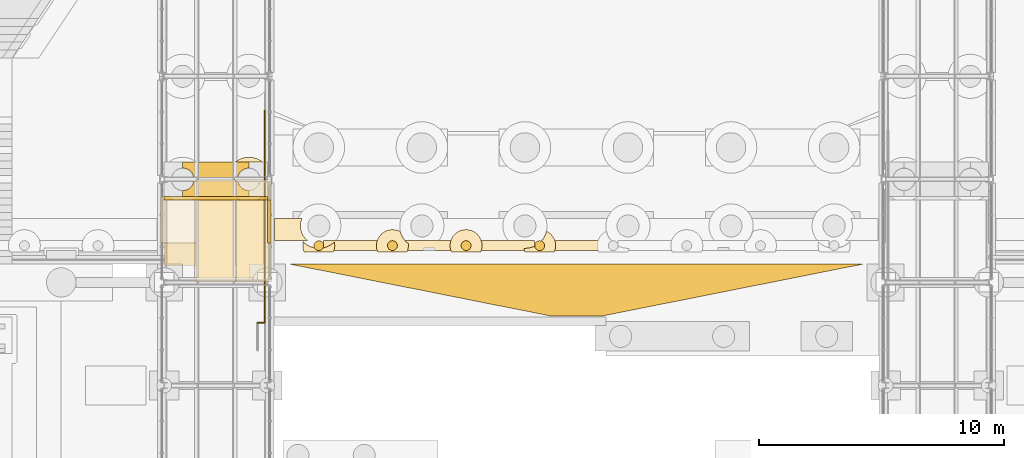
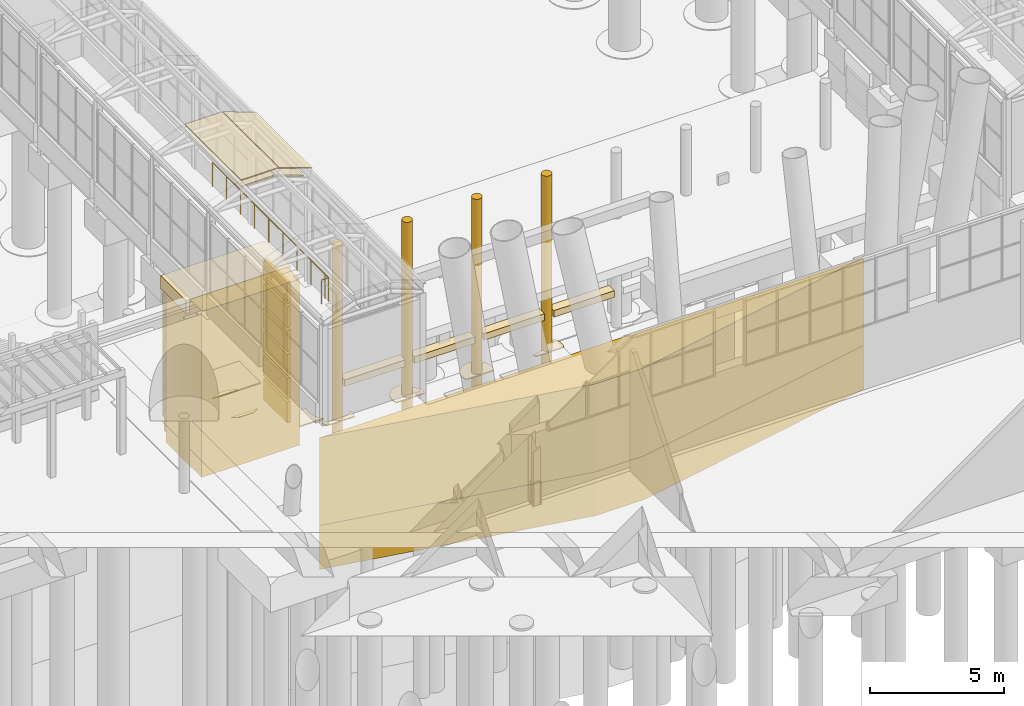
# One storey, part 184 of 222: 36 coverings, 3 railings.
"""IFC4 building model written with IfcOpenShell, lengths in metres."""

from ifc_helpers import new_model, si_unit, direction, frame, origin, origin_2d, place, context, subcontext, project, spatial, polyline, circle, outline, extrude, material, layer, layer_set, type_object, element, save


model = new_model("IFC4")

# Units and contexts
model_context = context("Model", 3, precision=1e-05, world=origin(), true_north=direction((0.0, 1.0)))
body_context = subcontext(model_context, "Body", "Model", "MODEL_VIEW")
ifc_project = project(units=[si_unit("LENGTHUNIT", "METRE"), si_unit("AREAUNIT", "SQUARE_METRE"), si_unit("VOLUMEUNIT", "CUBIC_METRE"), si_unit("PLANEANGLEUNIT", "RADIAN"), si_unit("MASSUNIT", "GRAM", prefix="KILO")], contexts=[model_context])

# Site, building, storey
site_placement = place(None, origin())
site = spatial("IfcSite", under=ifc_project, at=site_placement, CompositionType="ELEMENT")
building_placement = place(site_placement, origin())
building = spatial("IfcBuilding", under=site, at=building_placement, Name="Sava Quay Ferry Terminal", CompositionType="ELEMENT")
storey_placement = place(building_placement, origin())
storey = spatial("IfcBuildingStorey", under=building, at=storey_placement, Name="L00", CompositionType="ELEMENT", Elevation=0.0)

# Covering
ifc_material_1 = material(Name="Limestone ashlar", Category="masonry")
ifc_layer_1 = layer(ifc_material_1, 6.35009765625)
ifc_layer_set_1 = layer_set([ifc_layer_1], Name="Limestone ashlar")
covering_type_1 = type_object("IfcCoveringType", Name="Bridge abutment pier 1.65 m", PredefinedType="CLADDING", material=ifc_layer_set_1)
covering_1_placement = place(storey_placement, frame((0.0, 0.0, -8.0)))
element("IfcCovering", 1, at=covering_1_placement, inside=storey, type_object=covering_type_1, Name="Bridge abutment pier", PredefinedType="CLADDING", context=body_context, shape_type="SweptSolid", body=[
    extrude(outline(polyline([(46.949951171875, 121.10009765625), (49.64990234375, 121.10009765625), (49.64990234375, 121.340087890625), (49.60498046875, 121.342041015625), (49.56005859375, 121.34912109375), (49.51611328125, 121.360107421875), (49.47412109375, 121.375), (49.43310546875, 121.39404296875), (49.39404296875, 121.41796875), (49.35791015625, 121.444091796875), (49.324951171875, 121.47509765625), (49.2939453125, 121.508056640625), (49.26806640625, 121.5439453125), (49.243896484375, 121.5830078125), (49.22509765625, 121.6240234375), (49.2099609375, 121.666015625), (49.198974609375, 121.7099609375), (49.19189453125, 121.7548828125), (49.18994140625, 121.800048828125), (49.19189453125, 121.844970703125), (49.198974609375, 121.889892578125), (49.2099609375, 121.93408203125), (49.22509765625, 121.97607421875), (49.243896484375, 122.01708984375), (49.26806640625, 122.055908203125), (49.2939453125, 122.092041015625), (49.324951171875, 122.125), (49.35791015625, 122.156005859375), (49.39404296875, 122.181884765625), (49.43310546875, 122.2060546875), (49.47412109375, 122.22509765625), (49.51611328125, 122.239990234375), (49.56005859375, 122.2509765625), (49.60498046875, 122.258056640625), (49.64990234375, 122.260009765625), (49.64990234375, 122.5), (46.949951171875, 122.5), (46.949951171875, 122.260009765625), (46.9951171875, 122.258056640625), (47.0400390625, 122.2509765625), (47.083984375, 122.239990234375), (47.1259765625, 122.22509765625), (47.1669921875, 122.2060546875), (47.2060546875, 122.181884765625), (47.241943359375, 122.156005859375), (47.27490234375, 122.125), (47.305908203125, 122.092041015625), (47.33203125, 122.055908203125), (47.35595703125, 122.01708984375), (47.375, 121.97607421875), (47.389892578125, 121.93408203125), (47.40087890625, 121.889892578125), (47.407958984375, 121.844970703125), (47.409912109375, 121.800048828125), (47.407958984375, 121.7548828125), (47.40087890625, 121.7099609375), (47.389892578125, 121.666015625), (47.375, 121.6240234375), (47.35595703125, 121.5830078125), (47.33203125, 121.5439453125), (47.305908203125, 121.508056640625), (47.27490234375, 121.47509765625), (47.241943359375, 121.444091796875), (47.2060546875, 121.41796875), (47.1669921875, 121.39404296875), (47.1259765625, 121.375), (47.083984375, 121.360107421875), (47.0400390625, 121.34912109375), (46.9951171875, 121.342041015625), (46.949951171875, 121.340087890625), (46.949951171875, 121.10009765625)])), origin(), (0.0, 0.0, 1.0), 6.35009765625),
])

# Railings
ifc_material_2 = material(Name="Steel S355", Category="steel")
railing_type = type_object("IfcRailingType", Name="Edge guard 1100", PredefinedType="GUARDRAIL", material=ifc_material_2)
railing_1_placement = place(storey_placement, frame((50.300048828125, 116.199951171875, 0.0)))
element("IfcRailing", 2, at=railing_1_placement, inside=storey, type_object=railing_type, Name="Berth pier edge over the landing and the river", PredefinedType="GUARDRAIL", context=body_context, shape_type="SweptSolid", body=[
    extrude(circle(Radius=0.02392578125, at=origin_2d()), frame((0.0, 0.0, 1.076171875), z_axis=(0.0, 1.0, 0.0), x_axis=(-1.0, 0.0, 0.0)), (0.0, 0.0, 1.0), 8.400146484375),
    extrude(circle(Radius=0.02099609375, at=origin_2d()), origin(), (0.0, 0.0, 1.0), 1.052001953125),
    extrude(circle(Radius=0.02099609375, at=origin_2d()), frame((0.0, 1.050048828125, 0.0)), (0.0, 0.0, 1.0), 1.052001953125),
    extrude(circle(Radius=0.02099609375, at=origin_2d()), frame((0.0, 2.10009765625, 0.0)), (0.0, 0.0, 1.0), 1.052001953125),
    extrude(circle(Radius=0.02099609375, at=origin_2d()), frame((0.0, 3.150146484375, 0.0)), (0.0, 0.0, 1.0), 1.052001953125),
    extrude(circle(Radius=0.02099609375, at=origin_2d()), frame((0.0, 4.2001953125, 0.0)), (0.0, 0.0, 1.0), 1.052001953125),
    extrude(circle(Radius=0.02099609375, at=origin_2d()), frame((0.0, 5.25, 0.0)), (0.0, 0.0, 1.0), 1.052001953125),
    extrude(circle(Radius=0.02099609375, at=origin_2d()), frame((0.0, 6.300048828125, 0.0)), (0.0, 0.0, 1.0), 1.052001953125),
    extrude(circle(Radius=0.02099609375, at=origin_2d()), frame((0.0, 7.35009765625, 0.0)), (0.0, 0.0, 1.0), 1.052001953125),
    extrude(circle(Radius=0.02099609375, at=origin_2d()), frame((0.0, 8.400146484375, 0.0)), (0.0, 0.0, 1.0), 1.052001953125),
])
railing_2_placement = place(storey_placement, frame((50.300048828125, 116.202880859375, 0.0)))
element("IfcRailing", 3, at=railing_2_placement, inside=storey, type_object=railing_type, Name="Berth pier edge guard at the step", PredefinedType="GUARDRAIL", context=body_context, shape_type="SweptSolid", body=[
    extrude(circle(Radius=0.02392578125, at=origin_2d()), frame((0.0, 0.0, 1.076171875), z_axis=(0.0, -1.0, 0.0), x_axis=(1.0, 0.0, 0.0)), (0.0, 0.0, 1.0), 0.25),
    extrude(circle(Radius=0.02099609375, at=origin_2d()), origin(), (0.0, 0.0, 1.0), 1.052001953125),
    extrude(circle(Radius=0.02099609375, at=origin_2d()), frame((0.0, -0.25, 0.0)), (0.0, 0.0, 1.0), 1.052001953125),
])
railing_3_placement = place(storey_placement, frame((50.300048828125, 115.952880859375, 0.0)))
element("IfcRailing", 4, at=railing_3_placement, inside=storey, type_object=railing_type, Name="Berth pier edge guard at the step", PredefinedType="GUARDRAIL", context=body_context, shape_type="SweptSolid", body=[
    extrude(circle(Radius=0.02392578125, at=origin_2d()), frame((0.0, 0.0, 1.076171875), z_axis=(-1.0, 0.0, 0.0), x_axis=(0.0, -1.0, 0.0)), (0.0, 0.0, 1.0), 0.300048828125),
    extrude(circle(Radius=0.02099609375, at=origin_2d()), origin(), (0.0, 0.0, 1.0), 1.052001953125),
    extrude(circle(Radius=0.02099609375, at=origin_2d()), frame((-0.300048828125, 0.0, 0.0)), (0.0, 0.0, 1.0), 1.052001953125),
])

# Coverings
ifc_material_3 = material(Name="Limestone Mutalj", Category="masonry")
ifc_layer_2 = layer(ifc_material_3, 1.0)
ifc_layer_set_2 = layer_set([ifc_layer_2], Name="Limestone Mutalj")
covering_type_2 = type_object("IfcCoveringType", Name="Gallery landing abutment", PredefinedType="CLADDING", material=ifc_layer_set_2)
covering_2_placement = place(storey_placement, frame((0.0, 0.0, -8.0)))
element("IfcCovering", 5, at=covering_2_placement, inside=storey, type_object=covering_type_2, Name="Gallery landing abutment", PredefinedType="CLADDING", context=body_context, shape_type="SweptSolid", body=[
    extrude(outline(polyline([(46.199951171875, 118.300048828125), (50.39990234375, 118.300048828125), (50.39990234375, 120.949951171875), (46.199951171875, 120.949951171875), (46.199951171875, 118.300048828125)])), origin(), (0.0, 0.0, 1.0), 7.550048828125),
])
ifc_material_4 = material(Name="Glulam GL28h", Category="wood")
ifc_layer_3 = layer(ifc_material_4, 0.06005859375)
ifc_layer_set_3 = layer_set([ifc_layer_3], Name="Glulam GL28h")
covering_type_3 = type_object("IfcCoveringType", Name="Glulam soffit lining 60", PredefinedType="CEILING", material=ifc_layer_set_3)
covering_3_placement = place(storey_placement, frame((47.5634765625, 117.760009765625, 5.095703125), z_axis=(0.0, 0.0, 1.0), x_axis=(1.0, 0.0, 0.0)))
element("IfcCovering", 6, at=covering_3_placement, inside=storey, type_object=covering_type_3, Name="Boarding gallery B1 timber soffit lining bay 3 facet 2", PredefinedType="CEILING", context=body_context, shape_type="SweptSolid", body=[
    extrude(outline(polyline([(0.0, 0.0), (1.472900390625, 0.0), (1.472900390625, 3.8798828125), (0.0, 3.8798828125), (0.0, 0.0)])), origin(), (0.0, 0.0, -1.0), 0.06005859375),
])
covering_4_placement = place(storey_placement, frame((49.055908203125, 117.760009765625, 5.09228515625), z_axis=(0.342028329159, 0.0, 0.939689641346), x_axis=(0.939689641346, 0.0, -0.342028329159)))
element("IfcCovering", 7, at=covering_4_placement, inside=storey, type_object=covering_type_3, Name="Boarding gallery B1 timber soffit lining bay 3 facet 3", PredefinedType="CEILING", context=body_context, shape_type="SweptSolid", body=[
    extrude(outline(polyline([(0.0, 0.0), (1.3055444975084805, 0.0), (1.3055444975084805, 3.8798828125), (0.0, 3.8798828125), (0.0, 0.0)])), origin(), (0.0, 0.0, -1.0), 0.06005859375),
])
ifc_material_5 = material(Name="Timber", Category="wood")
ifc_layer_4 = layer(ifc_material_5, 0.39990234375)
ifc_layer_set_4 = layer_set([ifc_layer_4], Name="Timber")
covering_type_4 = type_object("IfcCoveringType", Name="Quay fender pile 400", PredefinedType="CLADDING", material=ifc_layer_set_4)
for number, where, z_axis, x_axis, name in (
    (8, (52.5, 119.10009765625, 0.0), (0.0, 0.0, -1.0), (1.0, 0.0, 0.0), "Quay fender pile"),
    (9, (55.5, 119.10009765625, 0.0), (0.0, 0.0, -1.0), (1.0, 0.0, 0.0), "Quay fender pile"),
    (10, (58.5, 119.10009765625, 0.0), (0.0, 0.0, -1.0), (1.0, 0.0, 0.0), "Quay fender pile"),
    (11, (61.5, 119.10009765625, 0.0), (0.0, 0.0, -1.0), (1.0, 0.0, 0.0), "Quay fender pile"),
):
    element("IfcCovering", number, at=place(storey_placement, frame(where, z_axis=z_axis, x_axis=x_axis)), inside=storey, type_object=covering_type_4, Name=name, PredefinedType="CLADDING", context=body_context, shape_type="SweptSolid", body=[
        extrude(circle(Radius=0.199951171875, at=origin_2d()), origin(), (0.0, 0.0, 1.0), 14.0),
    ])
ifc_material_6 = material(Name="Timber", Category="wood")
ifc_layer_5 = layer(ifc_material_6, 0.39990234375)
ifc_layer_set_5 = layer_set([ifc_layer_5], Name="Timber")
covering_type_5 = type_object("IfcCoveringType", Name="Quay fender waling", PredefinedType="MOLDING", material=ifc_layer_set_5)
covering_5_placement = place(storey_placement, frame((0.0, 0.0, -6.5)))
element("IfcCovering", 12, at=covering_5_placement, inside=storey, type_object=covering_type_5, Name="Quay fender waling", PredefinedType="MOLDING", context=body_context, shape_type="SweptSolid", body=[
    extrude(outline(polyline([(55.300048828125, 118.89990234375), (55.300048828125, 119.300048828125), (52.699951171875, 119.300048828125), (52.699951171875, 118.89990234375), (55.300048828125, 118.89990234375)])), origin(), (0.0, 0.0, 1.0), 0.300048828125),
])
covering_6_placement = place(storey_placement, frame((0.0, 0.0, -6.5)))
element("IfcCovering", 13, at=covering_6_placement, inside=storey, type_object=covering_type_5, Name="Quay fender waling", PredefinedType="MOLDING", context=body_context, shape_type="SweptSolid", body=[
    extrude(outline(polyline([(58.300048828125, 118.89990234375), (58.300048828125, 119.300048828125), (55.699951171875, 119.300048828125), (55.699951171875, 118.89990234375), (58.300048828125, 118.89990234375)])), origin(), (0.0, 0.0, 1.0), 0.300048828125),
])
covering_7_placement = place(storey_placement, frame((0.0, 0.0, -6.5)))
element("IfcCovering", 14, at=covering_7_placement, inside=storey, type_object=covering_type_5, Name="Quay fender waling", PredefinedType="MOLDING", context=body_context, shape_type="SweptSolid", body=[
    extrude(outline(polyline([(61.300048828125, 118.89990234375), (61.300048828125, 119.300048828125), (58.699951171875, 119.300048828125), (58.699951171875, 118.89990234375), (61.300048828125, 118.89990234375)])), origin(), (0.0, 0.0, 1.0), 0.300048828125),
])
covering_8_placement = place(storey_placement, frame((0.0, 0.0, -6.5)))
element("IfcCovering", 15, at=covering_8_placement, inside=storey, type_object=covering_type_5, Name="Quay fender waling", PredefinedType="MOLDING", context=body_context, shape_type="SweptSolid", body=[
    extrude(outline(polyline([(64.300048828125, 118.89990234375), (64.300048828125, 119.300048828125), (61.699951171875, 119.300048828125), (61.699951171875, 118.89990234375), (64.300048828125, 118.89990234375)])), origin(), (0.0, 0.0, 1.0), 0.300048828125),
])
ifc_material_7 = material(Name="Limestone Mutalj", Category="masonry")
ifc_layer_6 = layer(ifc_material_7, 0.35009765625)
ifc_layer_set_6 = layer_set([ifc_layer_6], Name="Limestone Mutalj")
covering_type_6 = type_object("IfcCoveringType", Name="Quay wall cornice 350", PredefinedType="MOLDING", material=ifc_layer_set_6)
covering_9_placement = place(storey_placement, frame((0.0, 0.0, -1.050048828125)))
element("IfcCovering", 16, at=covering_9_placement, inside=storey, type_object=covering_type_6, Name="Quay wall cornice", PredefinedType="MOLDING", context=body_context, shape_type="SweptSolid", body=[
    extrude(outline(polyline([(46.050048828125, 119.199951171875), (50.550048828125, 119.199951171875), (50.550048828125, 121.10009765625), (46.050048828125, 121.10009765625), (46.050048828125, 119.199951171875)])), origin(), (0.0, 0.0, 1.0), 0.60009765625),
])
ifc_material_8 = material(Name="Water")
ifc_layer_7 = layer(ifc_material_8, 0.0400390625)
ifc_layer_set_7 = layer_set([ifc_layer_7], Name="Water")
covering_type_7 = type_object("IfcCoveringType", Name="River foam collar", PredefinedType="CLADDING", material=ifc_layer_set_7)
covering_10_placement = place(storey_placement, frame((0.0, 0.0, -8.0)))
element("IfcCovering", 17, at=covering_10_placement, inside=storey, type_object=covering_type_7, Name="River foam collar", PredefinedType="CLADDING", context=body_context, shape_type="SweptSolid", body=[
    extrude(outline(polyline([(49.087890625, 121.10009765625), (49.14892578125, 121.050048828125), (49.304931640625, 120.966064453125), (49.35888671875, 120.949951171875), (49.94091796875, 120.949951171875), (49.9951171875, 120.966064453125), (50.15087890625, 121.050048828125), (50.2119140625, 121.10009765625), (49.087890625, 121.10009765625)])), origin(), (0.0, 0.0, 1.0), 0.0400390625),
])
covering_11_placement = place(storey_placement, frame((0.0, 0.0, -8.0)))
element("IfcCovering", 18, at=covering_11_placement, inside=storey, type_object=covering_type_7, Name="River foam collar", PredefinedType="CLADDING", context=body_context, shape_type="SweptSolid", body=[
    extrude(outline(polyline([(50.2119140625, 122.5), (50.15087890625, 122.550048828125), (49.9951171875, 122.634033203125), (49.825927734375, 122.68505859375), (49.64990234375, 122.701904296875), (49.47412109375, 122.68505859375), (49.304931640625, 122.634033203125), (49.14892578125, 122.550048828125), (49.087890625, 122.5), (49.64990234375, 122.5), (50.2119140625, 122.5)])), origin(), (0.0, 0.0, 1.0), 0.0400390625),
])
covering_12_placement = place(storey_placement, frame((0.0, 0.0, -8.0)))
element("IfcCovering", 19, at=covering_12_placement, inside=storey, type_object=covering_type_7, Name="River foam collar", PredefinedType="CLADDING", context=body_context, shape_type="SweptSolid", body=[
    extrude(outline(polyline([(52.318115234375, 119.007080078125), (52.14990234375, 119.05810546875), (51.992919921875, 119.14208984375), (51.865966796875, 119.24609375), (51.860107421875, 119.22705078125), (51.847900390625, 119.10009765625), (51.860107421875, 118.972900390625), (51.89794921875, 118.85009765625), (53.10205078125, 118.85009765625), (53.139892578125, 118.972900390625), (53.152099609375, 119.10009765625), (53.139892578125, 119.22705078125), (53.134033203125, 119.24609375), (53.007080078125, 119.14208984375), (52.85009765625, 119.05810546875), (52.68408203125, 119.007080078125), (52.676025390625, 119.008056640625), (52.666015625, 118.989013671875), (52.64111328125, 118.958984375), (52.611083984375, 118.93408203125), (52.576904296875, 118.9150390625), (52.5390625, 118.904052734375), (52.5, 118.89990234375), (52.4609375, 118.904052734375), (52.423095703125, 118.9150390625), (52.388916015625, 118.93408203125), (52.35888671875, 118.958984375), (52.333984375, 118.989013671875), (52.323974609375, 119.008056640625), (52.318115234375, 119.007080078125)])), origin(), (0.0, 0.0, 1.0), 0.0400390625),
])
covering_13_placement = place(storey_placement, frame((0.0, 0.0, -8.0)))
element("IfcCovering", 20, at=covering_13_placement, inside=storey, type_object=covering_type_7, Name="River foam collar", PredefinedType="CLADDING", context=body_context, shape_type="SweptSolid", body=[
    extrude(outline(polyline([(56.139892578125, 118.972900390625), (56.152099609375, 119.10009765625), (56.14404296875, 119.181884765625), (56.054931640625, 119.2548828125), (55.94189453125, 119.39306640625), (55.85693359375, 119.551025390625), (55.822998046875, 119.6630859375), (55.75, 119.702880859375), (55.626953125, 119.739990234375), (55.5, 119.751953125), (55.373046875, 119.739990234375), (55.25, 119.702880859375), (55.137939453125, 119.64208984375), (55.0390625, 119.56103515625), (54.9580078125, 119.4619140625), (54.89697265625, 119.35009765625), (54.860107421875, 119.22705078125), (54.847900390625, 119.10009765625), (54.860107421875, 118.972900390625), (54.89794921875, 118.85009765625), (56.10205078125, 118.85009765625), (56.139892578125, 118.972900390625)]), holes=[polyline([(55.303955078125, 119.138916015625), (55.31494140625, 119.177001953125), (55.333984375, 119.2109375), (55.35888671875, 119.240966796875), (55.388916015625, 119.26611328125), (55.423095703125, 119.284912109375), (55.4609375, 119.2958984375), (55.5, 119.300048828125), (55.5390625, 119.2958984375), (55.576904296875, 119.284912109375), (55.611083984375, 119.26611328125), (55.64111328125, 119.240966796875), (55.666015625, 119.2109375), (55.68505859375, 119.177001953125), (55.696044921875, 119.138916015625), (55.699951171875, 119.10009765625), (55.696044921875, 119.06103515625), (55.68505859375, 119.02294921875), (55.666015625, 118.989013671875), (55.64111328125, 118.958984375), (55.611083984375, 118.93408203125), (55.576904296875, 118.9150390625), (55.5390625, 118.904052734375), (55.5, 118.89990234375), (55.4609375, 118.904052734375), (55.423095703125, 118.9150390625), (55.388916015625, 118.93408203125), (55.35888671875, 118.958984375), (55.333984375, 118.989013671875), (55.31494140625, 119.02294921875), (55.303955078125, 119.06103515625), (55.300048828125, 119.10009765625), (55.303955078125, 119.138916015625)])]), origin(), (0.0, 0.0, 1.0), 0.0400390625),
])
covering_14_placement = place(storey_placement, frame((0.0, 0.0, -8.0)))
element("IfcCovering", 21, at=covering_14_placement, inside=storey, type_object=covering_type_7, Name="River foam collar", PredefinedType="CLADDING", context=body_context, shape_type="SweptSolid", body=[
    extrude(outline(polyline([(59.0419921875, 119.4619140625), (58.9609375, 119.56103515625), (58.862060546875, 119.64208984375), (58.75, 119.702880859375), (58.626953125, 119.739990234375), (58.5, 119.751953125), (58.373046875, 119.739990234375), (58.25, 119.702880859375), (58.137939453125, 119.64208984375), (58.0390625, 119.56103515625), (57.9580078125, 119.4619140625), (57.89697265625, 119.35009765625), (57.860107421875, 119.22705078125), (57.847900390625, 119.10009765625), (57.860107421875, 118.972900390625), (57.89794921875, 118.85009765625), (59.10205078125, 118.85009765625), (59.139892578125, 118.972900390625), (59.152099609375, 119.10009765625), (59.139892578125, 119.22705078125), (59.10302734375, 119.35009765625), (59.0419921875, 119.4619140625)]), holes=[polyline([(58.300048828125, 119.10009765625), (58.303955078125, 119.138916015625), (58.31494140625, 119.177001953125), (58.333984375, 119.2109375), (58.35888671875, 119.240966796875), (58.388916015625, 119.26611328125), (58.423095703125, 119.284912109375), (58.4609375, 119.2958984375), (58.5, 119.300048828125), (58.5390625, 119.2958984375), (58.576904296875, 119.284912109375), (58.611083984375, 119.26611328125), (58.64111328125, 119.240966796875), (58.666015625, 119.2109375), (58.68505859375, 119.177001953125), (58.696044921875, 119.138916015625), (58.699951171875, 119.10009765625), (58.696044921875, 119.06103515625), (58.68505859375, 119.02294921875), (58.666015625, 118.989013671875), (58.64111328125, 118.958984375), (58.611083984375, 118.93408203125), (58.576904296875, 118.9150390625), (58.5390625, 118.904052734375), (58.5, 118.89990234375), (58.4609375, 118.904052734375), (58.423095703125, 118.9150390625), (58.388916015625, 118.93408203125), (58.35888671875, 118.958984375), (58.333984375, 118.989013671875), (58.31494140625, 119.02294921875), (58.303955078125, 119.06103515625), (58.300048828125, 119.10009765625)])]), origin(), (0.0, 0.0, 1.0), 0.0400390625),
])
covering_15_placement = place(storey_placement, frame((0.0, 0.0, -8.0)))
element("IfcCovering", 22, at=covering_15_placement, inside=storey, type_object=covering_type_7, Name="River foam collar", PredefinedType="CLADDING", context=body_context, shape_type="SweptSolid", body=[
    extrude(outline(polyline([(61.2490234375, 119.056884765625), (61.077880859375, 119.0048828125), (60.90087890625, 118.988037109375), (60.85791015625, 118.991943359375), (60.860107421875, 118.972900390625), (60.89794921875, 118.85009765625), (62.10205078125, 118.85009765625), (62.139892578125, 118.972900390625), (62.152099609375, 119.10009765625), (62.139892578125, 119.22705078125), (62.10302734375, 119.35009765625), (62.0419921875, 119.4619140625), (61.9609375, 119.56103515625), (61.862060546875, 119.64208984375), (61.782958984375, 119.68505859375), (61.741943359375, 119.550048828125), (61.657958984375, 119.39306640625), (61.571044921875, 119.285888671875), (61.611083984375, 119.26611328125), (61.64111328125, 119.240966796875), (61.666015625, 119.2109375), (61.68505859375, 119.177001953125), (61.696044921875, 119.138916015625), (61.699951171875, 119.10009765625), (61.696044921875, 119.06103515625), (61.68505859375, 119.02294921875), (61.666015625, 118.989013671875), (61.64111328125, 118.958984375), (61.611083984375, 118.93408203125), (61.576904296875, 118.9150390625), (61.5390625, 118.904052734375), (61.5, 118.89990234375), (61.4609375, 118.904052734375), (61.423095703125, 118.9150390625), (61.388916015625, 118.93408203125), (61.35888671875, 118.958984375), (61.333984375, 118.989013671875), (61.31494140625, 119.02294921875), (61.303955078125, 119.06103515625), (61.301025390625, 119.0849609375), (61.2490234375, 119.056884765625)])), origin(), (0.0, 0.0, 1.0), 0.0400390625),
])
ifc_material_9 = material(Name="Water")
ifc_layer_8 = layer(ifc_material_9, 0.050048828125)
ifc_layer_set_8 = layer_set([ifc_layer_8], Name="Water")
covering_type_8 = type_object("IfcCoveringType", Name="River foam line", PredefinedType="CLADDING", material=ifc_layer_set_8)
covering_16_placement = place(storey_placement, frame((0.0, 0.0, -8.0)))
element("IfcCovering", 23, at=covering_16_placement, inside=storey, type_object=covering_type_8, Name="River foam line", PredefinedType="CLADDING", context=body_context, shape_type="SweptSolid", body=[
    extrude(outline(polyline([(51.81298828125, 120.199951171875), (50.699951171875, 120.199951171875), (50.699951171875, 119.300048828125), (52.0419921875, 119.300048828125), (52.044921875, 119.305908203125), (51.990966796875, 119.35009765625), (51.969970703125, 119.3701171875), (51.949951171875, 119.39111328125), (51.89404296875, 119.4599609375), (51.8759765625, 119.48291015625), (51.861083984375, 119.509033203125), (51.820068359375, 119.5859375), (51.806884765625, 119.613037109375), (51.797119140625, 119.64111328125), (51.77197265625, 119.72509765625), (51.763916015625, 119.75390625), (51.760009765625, 119.782958984375), (51.7509765625, 119.87109375), (51.75, 119.89990234375), (51.7509765625, 119.928955078125), (51.760009765625, 120.01708984375), (51.763916015625, 120.0458984375), (51.77197265625, 120.074951171875), (51.797119140625, 120.158935546875), (51.81298828125, 120.199951171875)])), origin(), (0.0, 0.0, 1.0), 0.050048828125),
])
ifc_material_10 = material(Name="Limestone Mutalj", Category="masonry")
ifc_layer_9 = layer(ifc_material_10, 0.050048828125)
ifc_layer_set_9 = layer_set([ifc_layer_9], Name="Limestone Mutalj")
covering_type_9 = type_object("IfcCoveringType", Name="Rustication course 250", PredefinedType="MOLDING", material=ifc_layer_set_9)
covering_17_placement = place(storey_placement, frame((0.0, 0.0, -7.5400390625)))
element("IfcCovering", 24, at=covering_17_placement, inside=storey, type_object=covering_type_9, Name="Rustication course", PredefinedType="MOLDING", context=body_context, shape_type="SweptSolid", body=[
    extrude(outline(polyline([(46.199951171875, 120.949951171875), (50.39990234375, 120.949951171875), (50.39990234375, 121.10009765625), (46.199951171875, 121.10009765625), (46.199951171875, 120.949951171875)])), origin(), (0.0, 0.0, 1.0), 0.96337890625),
])
covering_18_placement = place(storey_placement, frame((0.0, 0.0, -7.5400390625)))
element("IfcCovering", 25, at=covering_18_placement, inside=storey, type_object=covering_type_9, Name="Rustication course", PredefinedType="MOLDING", context=body_context, shape_type="SweptSolid", body=[
    extrude(outline(polyline([(50.39990234375, 119.199951171875), (50.550048828125, 119.199951171875), (50.550048828125, 120.949951171875), (50.39990234375, 120.949951171875), (50.39990234375, 119.199951171875)])), origin(), (0.0, 0.0, 1.0), 0.96337890625),
])
covering_19_placement = place(storey_placement, frame((0.0, 0.0, -6.456787109375)))
element("IfcCovering", 26, at=covering_19_placement, inside=storey, type_object=covering_type_9, Name="Rustication course", PredefinedType="MOLDING", context=body_context, shape_type="SweptSolid", body=[
    extrude(outline(polyline([(46.199951171875, 120.949951171875), (50.39990234375, 120.949951171875), (50.39990234375, 121.10009765625), (46.199951171875, 121.10009765625), (46.199951171875, 120.949951171875)])), origin(), (0.0, 0.0, 1.0), 0.96337890625),
])
covering_20_placement = place(storey_placement, frame((0.0, 0.0, -6.456787109375)))
element("IfcCovering", 27, at=covering_20_placement, inside=storey, type_object=covering_type_9, Name="Rustication course", PredefinedType="MOLDING", context=body_context, shape_type="SweptSolid", body=[
    extrude(outline(polyline([(50.39990234375, 119.199951171875), (50.550048828125, 119.199951171875), (50.550048828125, 120.949951171875), (50.39990234375, 120.949951171875), (50.39990234375, 119.199951171875)])), origin(), (0.0, 0.0, 1.0), 0.96337890625),
])
covering_21_placement = place(storey_placement, frame((0.0, 0.0, -5.373291015625)))
element("IfcCovering", 28, at=covering_21_placement, inside=storey, type_object=covering_type_9, Name="Rustication course", PredefinedType="MOLDING", context=body_context, shape_type="SweptSolid", body=[
    extrude(outline(polyline([(46.199951171875, 120.949951171875), (50.39990234375, 120.949951171875), (50.39990234375, 121.10009765625), (46.199951171875, 121.10009765625), (46.199951171875, 120.949951171875)])), origin(), (0.0, 0.0, 1.0), 0.96337890625),
])
covering_22_placement = place(storey_placement, frame((0.0, 0.0, -5.373291015625)))
element("IfcCovering", 29, at=covering_22_placement, inside=storey, type_object=covering_type_9, Name="Rustication course", PredefinedType="MOLDING", context=body_context, shape_type="SweptSolid", body=[
    extrude(outline(polyline([(50.39990234375, 119.199951171875), (50.550048828125, 119.199951171875), (50.550048828125, 120.949951171875), (50.39990234375, 120.949951171875), (50.39990234375, 119.199951171875)])), origin(), (0.0, 0.0, 1.0), 0.96337890625),
])
covering_23_placement = place(storey_placement, frame((0.0, 0.0, -4.2900390625)))
element("IfcCovering", 30, at=covering_23_placement, inside=storey, type_object=covering_type_9, Name="Rustication course", PredefinedType="MOLDING", context=body_context, shape_type="SweptSolid", body=[
    extrude(outline(polyline([(46.199951171875, 120.949951171875), (50.39990234375, 120.949951171875), (50.39990234375, 121.10009765625), (46.199951171875, 121.10009765625), (46.199951171875, 120.949951171875)])), origin(), (0.0, 0.0, 1.0), 0.96337890625),
])
covering_24_placement = place(storey_placement, frame((0.0, 0.0, -4.2900390625)))
element("IfcCovering", 31, at=covering_24_placement, inside=storey, type_object=covering_type_9, Name="Rustication course", PredefinedType="MOLDING", context=body_context, shape_type="SweptSolid", body=[
    extrude(outline(polyline([(50.39990234375, 119.199951171875), (50.550048828125, 119.199951171875), (50.550048828125, 120.949951171875), (50.39990234375, 120.949951171875), (50.39990234375, 119.199951171875)])), origin(), (0.0, 0.0, 1.0), 0.96337890625),
])
covering_25_placement = place(storey_placement, frame((0.0, 0.0, -3.206787109375)))
element("IfcCovering", 32, at=covering_25_placement, inside=storey, type_object=covering_type_9, Name="Rustication course", PredefinedType="MOLDING", context=body_context, shape_type="SweptSolid", body=[
    extrude(outline(polyline([(46.199951171875, 120.949951171875), (50.39990234375, 120.949951171875), (50.39990234375, 121.10009765625), (46.199951171875, 121.10009765625), (46.199951171875, 120.949951171875)])), origin(), (0.0, 0.0, 1.0), 0.96337890625),
])
covering_26_placement = place(storey_placement, frame((0.0, 0.0, -3.206787109375)))
element("IfcCovering", 33, at=covering_26_placement, inside=storey, type_object=covering_type_9, Name="Rustication course", PredefinedType="MOLDING", context=body_context, shape_type="SweptSolid", body=[
    extrude(outline(polyline([(50.39990234375, 119.199951171875), (50.550048828125, 119.199951171875), (50.550048828125, 120.949951171875), (50.39990234375, 120.949951171875), (50.39990234375, 119.199951171875)])), origin(), (0.0, 0.0, 1.0), 0.96337890625),
])
covering_27_placement = place(storey_placement, frame((0.0, 0.0, -2.123291015625)))
element("IfcCovering", 34, at=covering_27_placement, inside=storey, type_object=covering_type_9, Name="Rustication course", PredefinedType="MOLDING", context=body_context, shape_type="SweptSolid", body=[
    extrude(outline(polyline([(46.199951171875, 120.949951171875), (50.39990234375, 120.949951171875), (50.39990234375, 121.10009765625), (46.199951171875, 121.10009765625), (46.199951171875, 120.949951171875)])), origin(), (0.0, 0.0, 1.0), 0.96337890625),
])
covering_28_placement = place(storey_placement, frame((0.0, 0.0, -2.123291015625)))
element("IfcCovering", 35, at=covering_28_placement, inside=storey, type_object=covering_type_9, Name="Rustication course", PredefinedType="MOLDING", context=body_context, shape_type="SweptSolid", body=[
    extrude(outline(polyline([(50.39990234375, 119.199951171875), (50.550048828125, 119.199951171875), (50.550048828125, 120.949951171875), (50.39990234375, 120.949951171875), (50.39990234375, 119.199951171875)])), origin(), (0.0, 0.0, 1.0), 0.96337890625),
])
ifc_material_11 = material(Name="Sand and gravel")
ifc_layer_10 = layer(ifc_material_11, 7.0)
ifc_layer_set_10 = layer_set([ifc_layer_10], Name="Sand and gravel")
covering_type_10 = type_object("IfcCoveringType", Name="Sand and gravel", PredefinedType="CLADDING", material=ifc_layer_set_10)
covering_29_placement = place(storey_placement, frame((0.0, 0.0, -14.0)))
element("IfcCovering", 36, at=covering_29_placement, inside=storey, type_object=covering_type_10, Name="Sand and gravel", PredefinedType="CLADDING", context=body_context, shape_type="SweptSolid", body=[
    extrude(outline(polyline([(64.037109375, 116.22998046875), (74.696044921875, 118.35009765625), (51.303955078125, 118.35009765625), (61.962890625, 116.22998046875), (64.037109375, 116.22998046875)])), origin(), (0.0, 0.0, 1.0), 2.0),
])
ifc_material_12 = material(Name="Silty and sandy clay")
ifc_layer_11 = layer(ifc_material_12, 4.0)
ifc_layer_set_11 = layer_set([ifc_layer_11], Name="Silty and sandy clay")
covering_type_11 = type_object("IfcCoveringType", Name="Silty and sandy clay", PredefinedType="CLADDING", material=ifc_layer_set_11)
covering_30_placement = place(storey_placement, frame((0.0, 0.0, -12.0)))
element("IfcCovering", 37, at=covering_30_placement, inside=storey, type_object=covering_type_11, Name="Silty and sandy clay", PredefinedType="CLADDING", context=body_context, shape_type="SweptSolid", body=[
    extrude(outline(polyline([(64.037109375, 116.22998046875), (74.696044921875, 118.35009765625), (51.303955078125, 118.35009765625), (61.962890625, 116.22998046875), (64.037109375, 116.22998046875)])), origin(), (0.0, 0.0, 1.0), 4.0),
])
ifc_material_13 = material(Name="Zinc standing seam sheet")
ifc_layer_12 = layer(ifc_material_13, 0.0400390625)
ifc_layer_set_12 = layer_set([ifc_layer_12], Name="Zinc standing seam sheet")
covering_type_12 = type_object("IfcCoveringType", Name="Standing seam roofing 40", PredefinedType="ROOFING", material=ifc_layer_set_12)
covering_31_placement = place(storey_placement, frame((47.4912109375, 117.610107421875, 5.505859375), z_axis=(0.0, 0.0, 1.0), x_axis=(1.0, 0.0, 0.0)))
element("IfcCovering", 38, at=covering_31_placement, inside=storey, type_object=covering_type_12, Name="Boarding gallery B1 roofing bay 3 facet 2", PredefinedType="ROOFING", context=body_context, shape_type="SweptSolid", body=[
    extrude(outline(polyline([(0.0, 0.0), (1.617431640625, 0.0), (1.617431640625, 4.179931640625), (0.0, 4.179931640625), (0.0, 0.0)])), origin(), (0.0, 0.0, -1.0), 0.0400390625),
])
covering_32_placement = place(storey_placement, frame((49.128173828125, 117.610107421875, 5.50244140625), z_axis=(0.342089424704, 0.0, 0.939667401534), x_axis=(0.939667401534, 0.0, -0.342089424704)))
element("IfcCovering", 39, at=covering_32_placement, inside=storey, type_object=covering_type_12, Name="Boarding gallery B1 roofing bay 3 facet 3", PredefinedType="ROOFING", context=body_context, shape_type="SweptSolid", body=[
    extrude(outline(polyline([(0.0, 0.0), (1.5279778922638676, 0.0), (1.5279778922638676, 4.179931640625), (0.0, 4.179931640625), (0.0, 0.0)])), origin(), (0.0, 0.0, -1.0), 0.0400390625),
])

save(model, "model.ifc")
